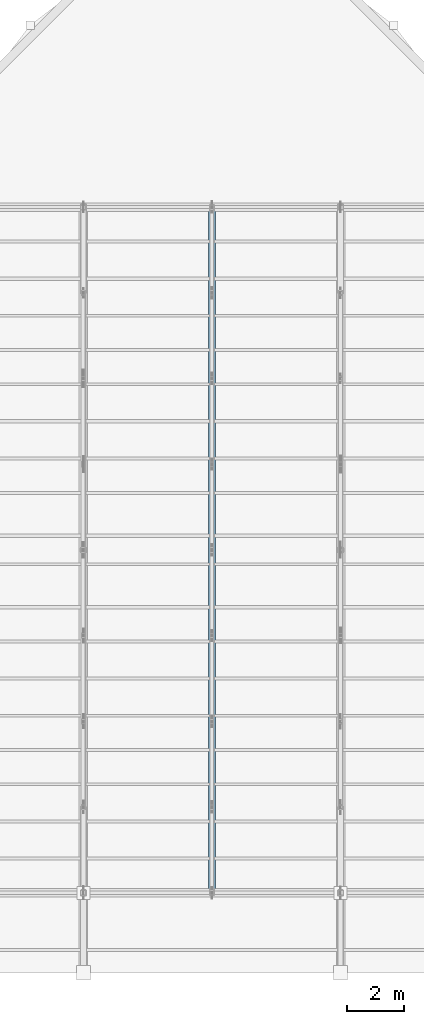
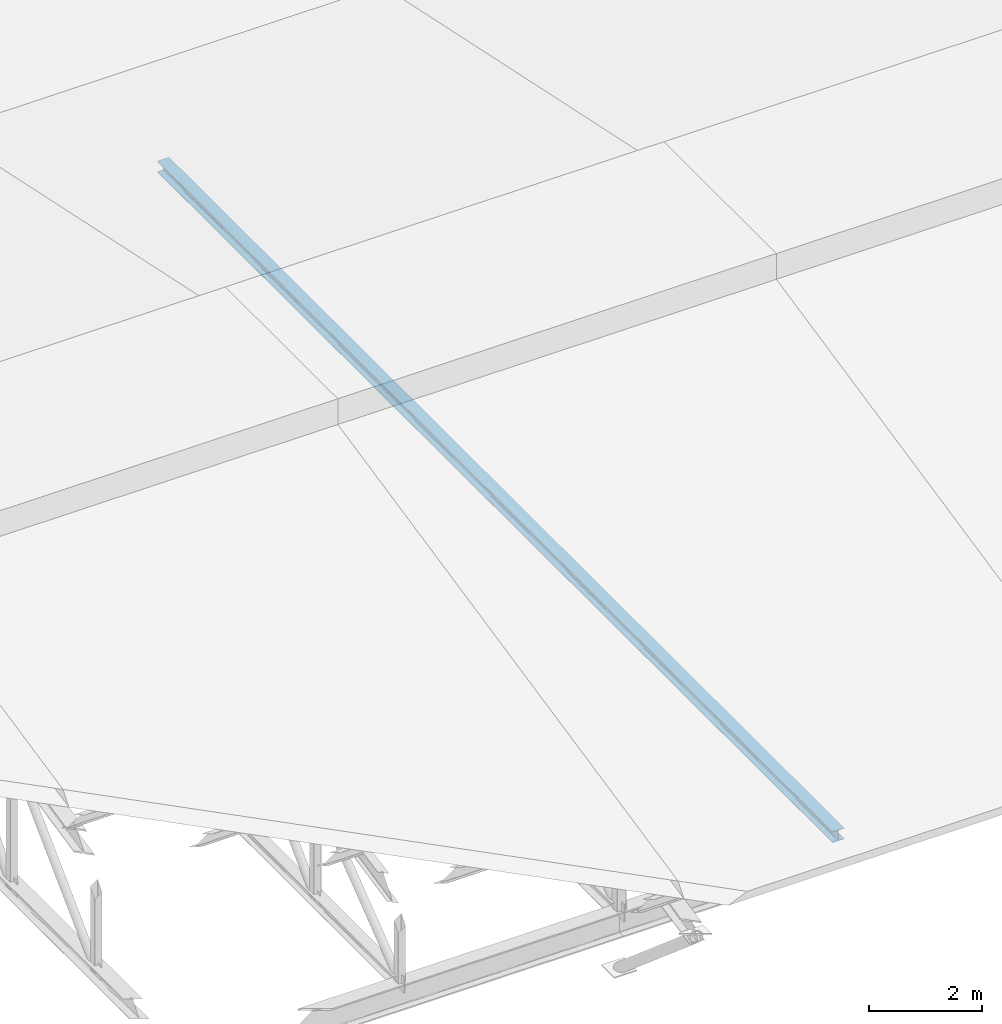
# One storey, part 15 of 43: 1 member.
"""IFC4 building model written with IfcOpenShell, lengths in metres."""

import ifcopenshell
import ifcopenshell.guid

model = None  # the IFC model being written
_history = None  # IfcOwnerHistory: only IFC2X3 demands one
_inside = {}  # id of a spatial element -> (the spatial element, [elements in it])
_under = {}  # id of a project, library or spatial element -> (it, [spatial elements below it])
_declared = {}  # id of a project -> (the project, [libraries it declares])
_typed = {}  # id of a type object -> (the type object, [elements of that type])
_made_of = {}  # id of a material, layer set ... -> (it, [elements and type objects made of it])


def new_model(schema):
    """Start an empty IFC model of exactly this schema.

    Asked for "IFC4X3", IfcOpenShell would pick the latest addendum, in which some entities
    have other attributes; the version numbers below select the first issue.
    IFC2X3 requires an IfcOwnerHistory on every rooted entity: one is made here for all.
    """
    global model, _history
    if schema == "IFC4X3":
        model = ifcopenshell.file(schema_version=(4, 3, 0, 0))
    else:
        model = ifcopenshell.file(schema=schema)
    _inside.clear()
    _under.clear()
    _declared.clear()
    _typed.clear()
    _made_of.clear()
    _history = None
    if model.schema == "IFC2X3":
        org = make("IfcOrganization", Name="unknown")
        user = make(
            "IfcPersonAndOrganization",
            ThePerson=make("IfcPerson", FamilyName="unknown"),
            TheOrganization=org,
        )
        app = make(
            "IfcApplication",
            ApplicationDeveloper=org,
            Version="unknown",
            ApplicationFullName="unknown",
            ApplicationIdentifier="unknown",
        )
        _history = make(
            "IfcOwnerHistory",
            OwningUser=user,
            OwningApplication=app,
            ChangeAction="ADDED",
            CreationDate=0,
        )
    return model


def make(cls, **values):
    """One entity of the class cls with the attributes given. An attribute that is None is left unset."""
    return model.create_entity(
        cls, **{name: value for name, value in values.items() if value is not None}
    )


def rooted(cls, **values):
    """An entity with a GlobalId (a new one), such as an element, a storey or a relation."""
    return make(cls, GlobalId=ifcopenshell.guid.new(), OwnerHistory=_history, **values)


def si_unit(unit_type, name, prefix=None):
    """IfcSIUnit, for example si_unit("LENGTHUNIT", "METRE", prefix="MILLI")."""
    return make("IfcSIUnit", UnitType=unit_type, Prefix=prefix, Name=name)


def assignment(units):
    """IfcUnitAssignment: the units of a project."""
    return None if units is None else make("IfcUnitAssignment", Units=units)


def point(xyz):
    """IfcCartesianPoint."""
    return None if xyz is None else make("IfcCartesianPoint", Coordinates=xyz)


def direction(xyz):
    """IfcDirection."""
    return None if xyz is None else make("IfcDirection", DirectionRatios=xyz)


def frame(location, z_axis=None, x_axis=None):
    """IfcAxis2Placement3D, a coordinate frame: its origin and axes. An axis left out is left unset."""
    return make(
        "IfcAxis2Placement3D",
        Location=point(location),
        Axis=direction(z_axis),
        RefDirection=direction(x_axis),
    )


def frame_2d(location, x_axis=None):
    """IfcAxis2Placement2D, a coordinate frame in the plane: its origin and x axis."""
    return make(
        "IfcAxis2Placement2D", Location=point(location), RefDirection=direction(x_axis)
    )


def origin():
    """The frame at (0, 0, 0) with its axes left unset."""
    return frame((0.0, 0.0, 0.0))


def origin_2d():
    """The frame at (0, 0) in the plane with its x axis left unset."""
    return frame_2d((0.0, 0.0))


def place(relative_to, where):
    """IfcLocalPlacement: puts the frame where relative to a parent placement (None: the world)."""
    return make(
        "IfcLocalPlacement", PlacementRelTo=relative_to, RelativePlacement=where
    )


def context(
    kind, dimensions, precision=None, world=None, true_north=None, identifier=None
):
    """IfcGeometricRepresentationContext, for example the 3D "Model" context."""
    return make(
        "IfcGeometricRepresentationContext",
        ContextIdentifier=identifier,
        ContextType=kind,
        CoordinateSpaceDimension=dimensions,
        Precision=precision,
        WorldCoordinateSystem=world,
        TrueNorth=true_north,
    )


def subcontext(parent, identifier, kind, view, scale=None):
    """IfcGeometricRepresentationSubContext, for example "Body" below "Model"."""
    return make(
        "IfcGeometricRepresentationSubContext",
        ContextIdentifier=identifier,
        ContextType=kind,
        ParentContext=parent,
        TargetScale=scale,
        TargetView=view,
    )


def project(units=None, contexts=None):
    """IfcProject with its units and contexts."""
    return rooted(
        "IfcProject",
        Name="project",
        RepresentationContexts=contexts,
        UnitsInContext=assignment(units),
    )


def spatial(cls, under=None, at=None, **own):
    """A site, building, storey or space (cls), placed at a placement, below another one or the project."""
    s = rooted(cls, ObjectPlacement=at, **own)
    if under is not None:
        _under.setdefault(under.id(), (under, []))[1].append(s)
    return s


def profile(cls, at=None, kind="AREA", **sizes):
    """A parametric profile (cls). Its sizes go by their IFC names, for example OverallWidth=200.0."""
    return make(cls, ProfileType=kind, Position=at, **sizes)


def i_section(**sizes):
    """IfcIShapeProfileDef."""
    return profile("IfcIShapeProfileDef", **sizes)


def extrude(swept, where, along, depth):
    """IfcExtrudedAreaSolid: the profile swept, set in the frame where, extruded along a direction by depth."""
    return make(
        "IfcExtrudedAreaSolid",
        SweptArea=swept,
        Position=where,
        ExtrudedDirection=direction(along),
        Depth=depth,
    )


def shape(context_of_items, identifier, shape_type, items):
    """IfcShapeRepresentation: the items that make up one representation, for example the "Body"."""
    return make(
        "IfcShapeRepresentation",
        ContextOfItems=context_of_items,
        RepresentationIdentifier=identifier,
        RepresentationType=shape_type,
        Items=items,
    )


def material(Name=None, Category=None):
    """IfcMaterial."""
    return make("IfcMaterial", Name=Name, Category=Category)


def material_profile(
    of_material, cross_section, Name=None, Category=None, Priority=None
):
    """IfcMaterialProfile: a cross section and its material."""
    return make(
        "IfcMaterialProfile",
        Name=Name,
        Material=of_material,
        Profile=cross_section,
        Priority=Priority,
        Category=Category,
    )


def profile_set(profiles, Name=None, composite=None):
    """IfcMaterialProfileSet."""
    return make(
        "IfcMaterialProfileSet",
        Name=Name,
        MaterialProfiles=profiles,
        CompositeProfile=composite,
    )


def made_of(thing, what):
    """Note that an element or type object is made of a material, layer set ...; save() writes the relation."""
    if what is not None:
        _made_of.setdefault(what.id(), (what, []))[1].append(thing)
    return thing


def type_object(cls, material=None, **own):
    """A type object (cls), such as IfcWallType, which elements share."""
    return made_of(rooted(cls, **own), material)


def element(
    cls,
    number,
    at=None,
    inside=None,
    cuts=None,
    type_object=None,
    material=None,
    context=None,
    identifier="Body",
    shape_type=None,
    held_by="IfcProductDefinitionShape",
    body=None,
    shapes=None,
    **own,
):
    """One element of the class cls, such as IfcWall. Its Tag is "e" and its number.

    at: its placement. inside: the storey or other place that contains it. cuts: it is an
    opening in that element (IfcRelVoidsElement). A single representation is given by context,
    identifier, shape_type and body (its items); several are given by shapes. held_by: the class
    of the entity that holds the representations. save() writes the other relations.
    """
    e = rooted(cls, Tag="e%d" % number, ObjectPlacement=at, **own)
    if body is not None:
        shapes = [shape(context, identifier, shape_type, body)]
    if shapes is not None:
        e.Representation = make(held_by, Representations=shapes)
    if inside is not None:
        _inside.setdefault(inside.id(), (inside, []))[1].append(e)
    if cuts is not None:
        rooted(
            "IfcRelVoidsElement", RelatingBuildingElement=cuts, RelatedOpeningElement=e
        )
    if type_object is not None:
        _typed.setdefault(type_object.id(), (type_object, []))[1].append(e)
    return made_of(e, material)


def aggregate(whole, parts):
    """IfcRelAggregates: a whole, such as a stair, and the parts it consists of."""
    return rooted("IfcRelAggregates", RelatingObject=whole, RelatedObjects=parts)


def save(model, path):
    """Write the relations noted so far, then the file.

    IfcRelAggregates (storeys below a building ...), IfcRelContainedInSpatialStructure (elements
    in a storey), IfcRelDefinesByType, IfcRelAssociatesMaterial and IfcRelDeclares: one each for
    every whole, place, type object, material and project.
    """
    for whole, parts in _under.values():
        aggregate(whole, parts)
    for where, things in _inside.values():
        rooted(
            "IfcRelContainedInSpatialStructure",
            RelatedElements=things,
            RelatingStructure=where,
        )
    for kind, things in _typed.values():
        rooted("IfcRelDefinesByType", RelatedObjects=things, RelatingType=kind)
    for what, things in _made_of.values():
        rooted("IfcRelAssociatesMaterial", RelatedObjects=things, RelatingMaterial=what)
    for by, libraries in _declared.values():
        rooted("IfcRelDeclares", RelatingContext=by, RelatedDefinitions=libraries)
    model.write(path)


model = new_model("IFC4")

# Units and contexts
model_context = context("Model", 3, precision=1e-05, world=origin(), true_north=direction((0.0, 1.0)))
body_context = subcontext(model_context, "Body", "Model", "MODEL_VIEW")
ifc_project = project(units=[si_unit("LENGTHUNIT", "METRE"), si_unit("AREAUNIT", "SQUARE_METRE"), si_unit("VOLUMEUNIT", "CUBIC_METRE"), si_unit("PLANEANGLEUNIT", "RADIAN"), si_unit("MASSUNIT", "GRAM", prefix="KILO")], contexts=[model_context])

# Site, building, storey
site_placement = place(None, origin())
site = spatial("IfcSite", under=ifc_project, at=site_placement, CompositionType="ELEMENT")
building_placement = place(site_placement, origin())
building = spatial("IfcBuilding", under=site, at=building_placement, Name="Serraforn Aerial Cableway Station", CompositionType="ELEMENT")
storey_placement = place(building_placement, frame((0.0, 0.0, 18.300048828125)))
storey = spatial("IfcBuildingStorey", under=building, at=storey_placement, Name="RF", CompositionType="ELEMENT", Elevation=18.300048828125)

# Member
ifc_material = material(Name="Steel S355J2", Category="steel")
ifc_material_profile = material_profile(ifc_material, i_section(OverallWidth=0.239990234375, OverallDepth=0.239990234375, WebThickness=0.007568359375, FlangeThickness=0.011962890625, FilletRadius=0.02099609375, at=origin_2d()), Name="HEA 240")
ifc_profile_set = profile_set([ifc_material_profile], Name="Steel S355J2")
member_type = type_object("IfcMemberType", Name="MEM-BC-HEA240", PredefinedType="CHORD", material=ifc_profile_set)
member_placement = place(storey_placement, frame((59.10009765625, 18.0, -1.35009765625), z_axis=(0.0, 1.0, 0.0), x_axis=(-1.0, 0.0, 0.0)))
element("IfcMember", 1, at=member_placement, inside=storey, type_object=member_type, Name="Intermediate Truss TRM-04 Bottom Chord", PredefinedType="CHORD", context=body_context, shape_type="SweptSolid", body=[
    extrude(i_section(OverallWidth=0.239990234375, OverallDepth=0.239990234375, WebThickness=0.007568359375, FlangeThickness=0.011962890625, FilletRadius=0.02099609375, at=origin_2d()), origin(), (0.0, 0.0, 1.0), 24.0),
])

save(model, "model.ifc")
